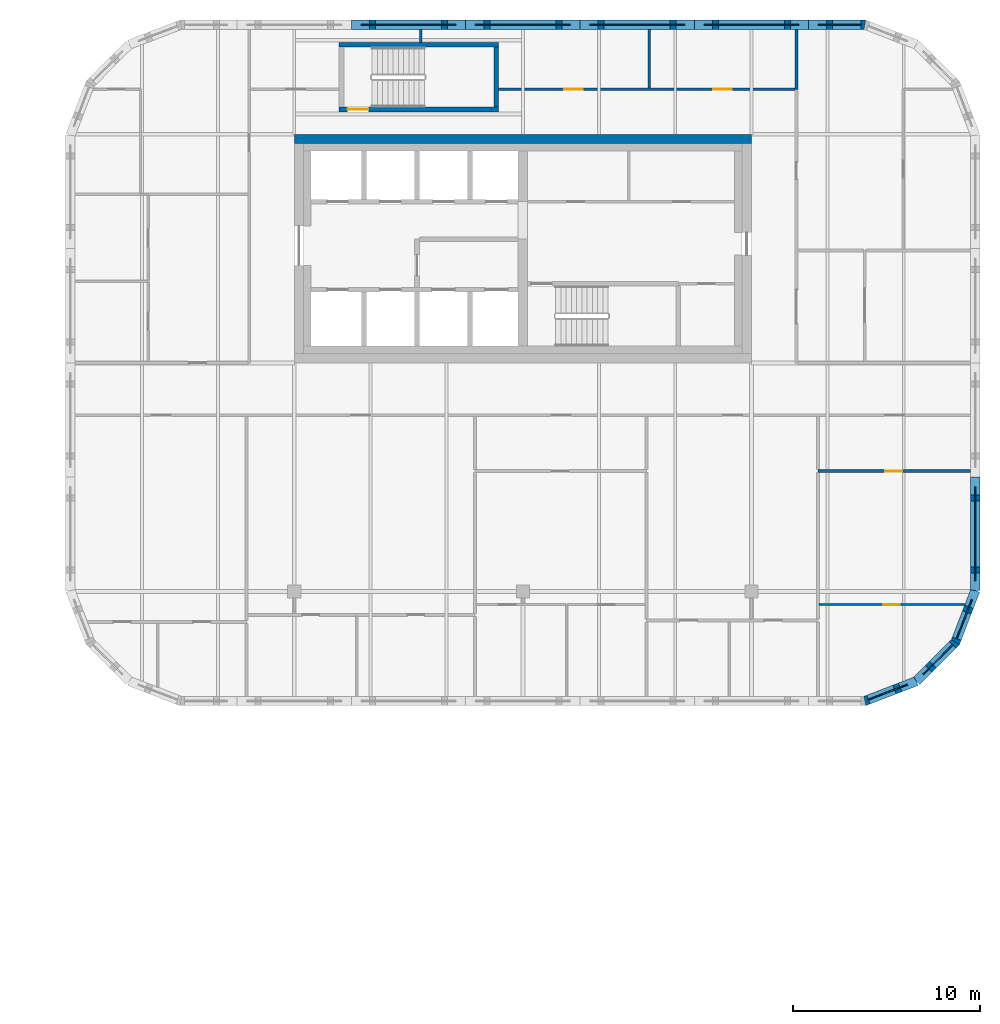
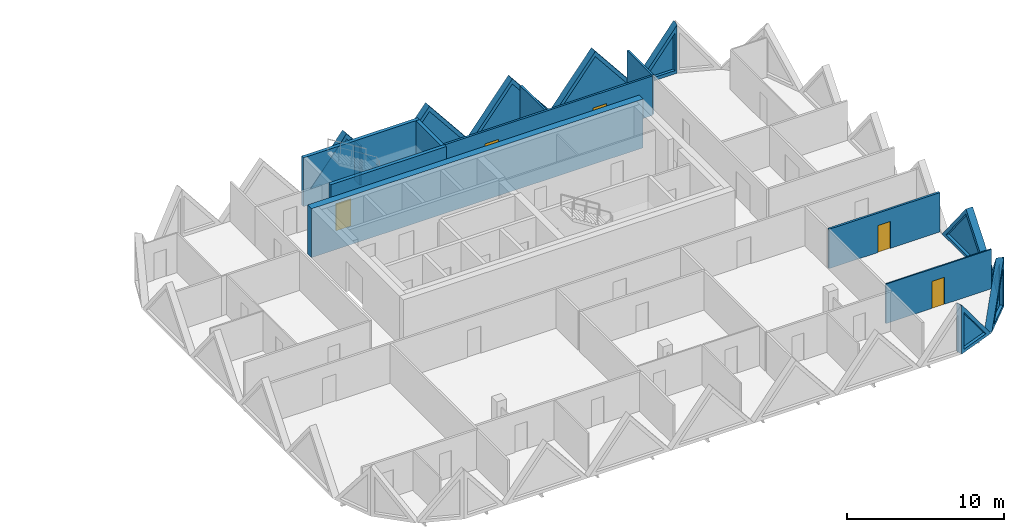
# One storey, part 15 of 19: 19 walls, 9 plates, 5 doors, 14 openings.
"""IFC4 building model written with IfcOpenShell, lengths in metres."""

from ifc_helpers import new_model, si_unit, direction, frame, frame_2d, origin, place, context, subcontext, project, spatial, polyline, rectangle, outline, extrude, faceted_brep, source, transform, mapped, material, layer, layer_set, type_object, element, fill, save


model = new_model("IFC4")

# Units and contexts
model_context = context("Model", 3, precision=1e-05, world=origin(), true_north=direction((0.0, 1.0)))
body_context = subcontext(model_context, "Body", "Model", "MODEL_VIEW")
ifc_project = project(units=[si_unit("LENGTHUNIT", "METRE"), si_unit("AREAUNIT", "SQUARE_METRE"), si_unit("VOLUMEUNIT", "CUBIC_METRE"), si_unit("PLANEANGLEUNIT", "RADIAN"), si_unit("MASSUNIT", "GRAM", prefix="KILO")], contexts=[model_context])

# Site, building, storey
site_placement = place(None, origin())
site = spatial("IfcSite", under=ifc_project, at=site_placement, CompositionType="ELEMENT")
building_placement = place(site_placement, origin())
building = spatial("IfcBuilding", under=site, at=building_placement, Name="Tessera Gate Towers", CompositionType="ELEMENT")
storey_placement = place(building_placement, frame((0.0, 0.0, 68.60009765625)))
storey = spatial("IfcBuildingStorey", under=building, at=storey_placement, Name="L16", CompositionType="ELEMENT", Elevation=68.60009765625)

# Wall, opening, door
ifc_material_1 = material(Name="Concrete C40/50", Category="concrete")
ifc_layer_1 = layer(ifc_material_1, 0.25)
ifc_layer_set_1 = layer_set([ifc_layer_1], Name="CORE ENCLOSURE WALL 250")
wall_type_1 = type_object("IfcWallType", Name="CORE ENCLOSURE WALL 250", PredefinedType="SOLIDWALL", material=ifc_layer_set_1)
wall_1_placement = place(storey_placement, frame((108.5, 50.125, 0.0), z_axis=(0.0, 0.0, 1.0), x_axis=(-1.0, 0.0, 0.0)))
wall_1 = element("IfcWall", 1, at=wall_1_placement, inside=storey, type_object=wall_type_1, Name="L16 ST7 enclosure wall", PredefinedType="SOLIDWALL", context=body_context, shape_type="SweptSolid", body=[
    extrude(rectangle(XDim=8.5, YDim=0.25, at=frame_2d((4.25, 0.0))), origin(), (0.0, 0.0, 1.0), 3.7998046875),
])
shared_shape_1 = source(origin(), body_context, "Body", "SweptSolid", [
    extrude(rectangle(XDim=1.10009765625, YDim=2.10009765625, at=frame_2d((0.550048828125, 1.050048828125))), frame((0.0, 0.135009765625, 0.0), z_axis=(0.0, -1.0, 0.0), x_axis=(1.0, 0.0, 0.0)), (0.0, 0.0, 1.0), 0.27001953125),
])
opening_1_placement = place(wall_1_placement, frame((6.949951171875, 0.0, 0.0)))
opening_1 = element("IfcOpeningElement", 2, at=opening_1_placement, cuts=wall_1, Name="Opening SD-ST7-1", PredefinedType="OPENING", context=body_context, shape_type="MappedRepresentation", body=[
    mapped(shared_shape_1, transform((0.0, 0.0, 0.0), scale=1.0)),
])
ifc_material_2 = material(Name="Hollow steel fire door", Category="steel")
door_type_1 = type_object("IfcDoorType", Name="CORE DOOR SD1100 1100x2100", OperationType="NOTDEFINED", PredefinedType="DOOR", material=ifc_material_2)
shared_shape_2 = source(origin(), body_context, "Body", "SweptSolid", [
    extrude(rectangle(XDim=1.10009765625, YDim=2.10009765625, at=frame_2d((0.550048828125, 1.050048828125))), frame((0.0, 0.02490234375, 0.0), z_axis=(0.0, -1.0, 0.0), x_axis=(1.0, 0.0, 0.0)), (0.0, 0.0, 1.0), 0.050048828125),
])
door_1_placement = place(opening_1_placement, origin())
door_1 = element("IfcDoor", 3, at=door_1_placement, inside=storey, type_object=door_type_1, Name="Stair door", OperationType="SINGLE_SWING_RIGHT", OverallHeight=2.10009765625, OverallWidth=1.10009765625, PredefinedType="DOOR", context=body_context, shape_type="MappedRepresentation", body=[
    mapped(shared_shape_2, transform((0.0, 0.0, 0.0), scale=1.0)),
])
fill(opening_1, door_1)

# Walls
wall_2_placement = place(storey_placement, frame((100.0, 53.574951171875, 0.0), z_axis=(0.0, 0.0, 1.0), x_axis=(1.0, 0.0, 0.0)))
element("IfcWall", 4, at=wall_2_placement, inside=storey, type_object=wall_type_1, Name="L16 ST7 enclosure wall", PredefinedType="SOLIDWALL", context=body_context, shape_type="SweptSolid", body=[
    extrude(rectangle(XDim=8.5, YDim=0.25, at=frame_2d((4.25, 0.0))), origin(), (0.0, 0.0, 1.0), 3.7998046875),
])
wall_3_placement = place(storey_placement, frame((108.375, 53.449951171875, 0.0), z_axis=(0.0, 0.0, 1.0), x_axis=(0.0, -1.0, 0.0)))
element("IfcWall", 5, at=wall_3_placement, inside=storey, type_object=wall_type_1, Name="L16 ST7 enclosure wall", PredefinedType="SOLIDWALL", context=body_context, shape_type="SweptSolid", body=[
    extrude(rectangle(XDim=3.199951171875, YDim=0.25, at=frame_2d((1.60009765625, 0.0))), origin(), (0.0, 0.0, 1.0), 3.7998046875),
])
ifc_material_3 = material(Name="Concrete C50/60", Category="concrete")
ifc_layer_2 = layer(ifc_material_3, 0.5)
ifc_layer_set_2 = layer_set([ifc_layer_2], Name="CORE SHEAR WALL 500 C50/60")
wall_type_2 = type_object("IfcWallType", Name="CORE SHEAR WALL 500 C50/60", PredefinedType="SHEAR", material=ifc_layer_set_2)
wall_4_placement = place(storey_placement, frame((97.60009765625, 48.550048828125, 0.0), z_axis=(0.0, 0.0, 1.0), x_axis=(1.0, 0.0, 0.0)))
element("IfcWall", 6, at=wall_4_placement, inside=storey, type_object=wall_type_2, Name="Core wall N L16", PredefinedType="SHEAR", context=body_context, shape_type="SweptSolid", body=[
    extrude(rectangle(XDim=24.39990234375, YDim=0.5, at=frame_2d((12.199951171875, 0.0))), origin(), (0.0, 0.0, 1.0), 3.7998046875),
])

# Wall, openings, doors
ifc_material_4 = material(Name="Gypsum board on steel studs, mineral wool", Category="steel")
ifc_layer_3 = layer(ifc_material_4, 0.14990234375)
ifc_layer_set_3 = layer_set([ifc_layer_3], Name="CORRIDOR WALL 150")
wall_type_3 = type_object("IfcWallType", Name="CORRIDOR WALL 150", PredefinedType="PARTITIONING", material=ifc_layer_set_3)
wall_5_placement = place(storey_placement, frame((108.5, 51.199951171875, 0.0), z_axis=(0.0, 0.0, 1.0), x_axis=(1.0, 0.0, 0.0)))
wall_5 = element("IfcWall", 7, at=wall_5_placement, inside=storey, type_object=wall_type_3, Name="T2-L16-PW-046", PredefinedType="PARTITIONING", context=body_context, shape_type="SweptSolid", body=[
    extrude(rectangle(XDim=15.823974609375, YDim=0.14990234375, at=frame_2d((7.912109375, 0.0))), origin(), (0.0, 0.0, 1.0), 3.06689453125),
])
shared_shape_3 = source(origin(), body_context, "Body", "SweptSolid", [
    extrude(rectangle(XDim=1.0, YDim=2.10009765625, at=frame_2d((0.5, 1.050048828125))), frame((0.0, 0.0849609375, 0.0), z_axis=(0.0, -1.0, 0.0), x_axis=(1.0, 0.0, 0.0)), (0.0, 0.0, 1.0), 0.169921875),
])
opening_2_placement = place(wall_5_placement, frame((11.450927734375, 0.0, 0.0)))
opening_2 = element("IfcOpeningElement", 8, at=opening_2_placement, cuts=wall_5, Name="Opening D2100FD60-B07-02", PredefinedType="OPENING", context=body_context, shape_type="MappedRepresentation", body=[
    mapped(shared_shape_3, transform((0.0, 0.0, 0.0), scale=1.0)),
])
opening_3_placement = place(wall_5_placement, frame((3.5, 0.0, 0.0)))
opening_3 = element("IfcOpeningElement", 9, at=opening_3_placement, cuts=wall_5, Name="Opening D2100FD60-B07-03", PredefinedType="OPENING", context=body_context, shape_type="MappedRepresentation", body=[
    mapped(shared_shape_3, transform((0.0, 0.0, 0.0), scale=1.0)),
])
ifc_material_5 = material(Name="Timber door leaf in steel frame", Category="steel")
door_type_2 = type_object("IfcDoorType", Name="TENANCY ENTRANCE DOOR 1000 FD60", OperationType="NOTDEFINED", PredefinedType="DOOR", material=ifc_material_5)
shared_shape_4 = source(origin(), body_context, "Body", "SweptSolid", [
    extrude(rectangle(XDim=1.0, YDim=2.10009765625, at=frame_2d((0.5, 1.050048828125))), frame((0.0, 0.02490234375, 0.0), z_axis=(0.0, -1.0, 0.0), x_axis=(1.0, 0.0, 0.0)), (0.0, 0.0, 1.0), 0.050048828125),
])
door_2_placement = place(opening_2_placement, origin())
door_2 = element("IfcDoor", 10, at=door_2_placement, inside=storey, type_object=door_type_2, Name="T2-L16-PD-015", OperationType="SINGLE_SWING_LEFT", OverallHeight=2.10009765625, OverallWidth=1.0, PredefinedType="DOOR", context=body_context, shape_type="MappedRepresentation", body=[
    mapped(shared_shape_4, transform((0.0, 0.0, 0.0), scale=1.0)),
])
fill(opening_2, door_2)
door_3_placement = place(opening_3_placement, origin())
door_3 = element("IfcDoor", 11, at=door_3_placement, inside=storey, type_object=door_type_2, Name="T2-L16-PD-017", OperationType="SINGLE_SWING_LEFT", OverallHeight=2.10009765625, OverallWidth=1.0, PredefinedType="DOOR", context=body_context, shape_type="MappedRepresentation", body=[
    mapped(shared_shape_4, transform((0.0, 0.0, 0.0), scale=1.0)),
])
fill(opening_3, door_3)

# Wall, opening, door
ifc_material_6 = material(Name="Gypsum board on steel studs", Category="steel")
ifc_layer_4 = layer(ifc_material_6, 0.10009765625)
ifc_layer_set_4 = layer_set([ifc_layer_4], Name="PARTITION 100")
wall_type_4 = type_object("IfcWallType", Name="PARTITION 100", PredefinedType="PARTITIONING", material=ifc_layer_set_4)
wall_6_placement = place(storey_placement, frame((133.39404296875, 23.699951171875, 0.0), z_axis=(0.0, 0.0, 1.0), x_axis=(-1.0, 0.0, 0.0)))
wall_6 = element("IfcWall", 12, at=wall_6_placement, inside=storey, type_object=wall_type_4, Name="T2-L16-PW-018", PredefinedType="PARTITIONING", context=body_context, shape_type="SweptSolid", body=[
    extrude(rectangle(XDim=7.76806640625, YDim=0.10009765625, at=frame_2d((3.884033203125, 0.0))), origin(), (0.0, 0.0, 1.0), 3.06689453125),
])
shared_shape_5 = source(origin(), body_context, "Body", "SweptSolid", [
    extrude(rectangle(XDim=0.89990234375, YDim=2.10009765625, at=frame_2d((0.449951171875, 1.050048828125))), frame((0.0, 0.06005859375, 0.0), z_axis=(0.0, -1.0, 0.0), x_axis=(1.0, 0.0, 0.0)), (0.0, 0.0, 1.0), 0.1201171875),
])
opening_4_placement = place(wall_6_placement, frame((3.468017578125, 0.0, 0.0)))
opening_4 = element("IfcOpeningElement", 13, at=opening_4_placement, cuts=wall_6, Name="Opening D190-B07-09", PredefinedType="OPENING", context=body_context, shape_type="MappedRepresentation", body=[
    mapped(shared_shape_5, transform((0.0, 0.0, 0.0), scale=1.0)),
])
ifc_material_7 = material(Name="Timber door leaf in steel frame", Category="steel")
door_type_3 = type_object("IfcDoorType", Name="INTERNAL DOOR 900 NOT RATED", OperationType="NOTDEFINED", PredefinedType="DOOR", material=ifc_material_7)
shared_shape_6 = source(origin(), body_context, "Body", "SweptSolid", [
    extrude(rectangle(XDim=0.89990234375, YDim=2.10009765625, at=frame_2d((0.449951171875, 1.050048828125))), frame((0.0, 0.02490234375, 0.0), z_axis=(0.0, -1.0, 0.0), x_axis=(1.0, 0.0, 0.0)), (0.0, 0.0, 1.0), 0.050048828125),
])
door_4_placement = place(opening_4_placement, origin())
door_4 = element("IfcDoor", 14, at=door_4_placement, inside=storey, type_object=door_type_3, Name="T2-L16-PD-014", OperationType="SINGLE_SWING_RIGHT", OverallHeight=2.10009765625, OverallWidth=0.89990234375, PredefinedType="DOOR", context=body_context, shape_type="MappedRepresentation", body=[
    mapped(shared_shape_6, transform((0.0, 0.0, 0.0), scale=1.0)),
])
fill(opening_4, door_4)

ifc_material_8 = material(Name="Gypsum board on steel studs, mineral wool", Category="steel")
ifc_layer_5 = layer(ifc_material_8, 0.14990234375)
ifc_layer_set_5 = layer_set([ifc_layer_5], Name="TENANCY WALL 150")
wall_type_5 = type_object("IfcWallType", Name="TENANCY WALL 150", PredefinedType="PARTITIONING", material=ifc_layer_set_5)
wall_7_placement = place(storey_placement, frame((133.699951171875, 30.824951171875, 0.0), z_axis=(0.0, 0.0, 1.0), x_axis=(-1.0, 0.0, 0.0)))
wall_7 = element("IfcWall", 15, at=wall_7_placement, inside=storey, type_object=wall_type_5, Name="T2-L16-PW-023", PredefinedType="PARTITIONING", context=body_context, shape_type="SweptSolid", body=[
    extrude(rectangle(XDim=8.14990234375, YDim=0.14990234375, at=frame_2d((4.074951171875, 0.0))), origin(), (0.0, 0.0, 1.0), 3.06689453125),
])
shared_shape_7 = source(origin(), body_context, "Body", "SweptSolid", [
    extrude(rectangle(XDim=0.89990234375, YDim=2.10009765625, at=frame_2d((0.449951171875, 1.050048828125))), frame((0.0, 0.0849609375, 0.0), z_axis=(0.0, -1.0, 0.0), x_axis=(1.0, 0.0, 0.0)), (0.0, 0.0, 1.0), 0.169921875),
])
opening_5_placement = place(wall_7_placement, frame((3.64990234375, 0.0, 0.0)))
opening_5 = element("IfcOpeningElement", 16, at=opening_5_placement, cuts=wall_7, Name="Opening D190-B07-11", PredefinedType="OPENING", context=body_context, shape_type="MappedRepresentation", body=[
    mapped(shared_shape_7, transform((0.0, 0.0, 0.0), scale=1.0)),
])
door_5_placement = place(opening_5_placement, origin())
door_5 = element("IfcDoor", 17, at=door_5_placement, inside=storey, type_object=door_type_3, Name="T2-L16-PD-019", OperationType="SINGLE_SWING_RIGHT", OverallHeight=2.10009765625, OverallWidth=0.89990234375, PredefinedType="DOOR", context=body_context, shape_type="MappedRepresentation", body=[
    mapped(shared_shape_6, transform((0.0, 0.0, 0.0), scale=1.0)),
])
fill(opening_5, door_5)

# Walls
wall_8_placement = place(storey_placement, frame((124.39990234375, 51.200927734375, 0.0), z_axis=(0.0, 0.0, 1.0), x_axis=(0.0, 1.0, 0.0)))
element("IfcWall", 18, at=wall_8_placement, inside=storey, type_object=wall_type_5, Name="T2-L16-PW-047", PredefinedType="PARTITIONING", context=body_context, shape_type="SweptSolid", body=[
    extrude(rectangle(XDim=3.198974609375, YDim=0.14990234375, at=frame_2d((1.599609375, 0.0))), origin(), (0.0, 0.0, 1.0), 3.06689453125),
])
wall_9_placement = place(storey_placement, frame((116.550048828125, 51.27587890625, 0.0), z_axis=(0.0, 0.0, 1.0), x_axis=(0.0, 1.0, 0.0)))
element("IfcWall", 19, at=wall_9_placement, inside=storey, type_object=wall_type_5, Name="T2-L16-PW-049", PredefinedType="PARTITIONING", context=body_context, shape_type="SweptSolid", body=[
    extrude(rectangle(XDim=3.1240234375, YDim=0.14990234375, at=frame_2d((1.56201171875, 0.0))), origin(), (0.0, 0.0, 1.0), 3.06689453125),
])
wall_10_placement = place(storey_placement, frame((104.35009765625, 53.699951171875, 0.0), z_axis=(0.0, 0.0, 1.0), x_axis=(0.0, 1.0, 0.0)))
element("IfcWall", 20, at=wall_10_placement, inside=storey, type_object=wall_type_5, Name="T2-L16-PW-050", PredefinedType="PARTITIONING", context=body_context, shape_type="SweptSolid", body=[
    extrude(rectangle(XDim=0.699951171875, YDim=0.14990234375, at=frame_2d((0.35009765625, 0.0))), origin(), (0.0, 0.0, 1.0), 3.06689453125),
])

# Wall, opening, plate
ifc_material_9 = material(Name="Precast concrete C60/75 white", Category="concrete")
ifc_layer_6 = layer(ifc_material_9, 0.5)
ifc_layer_set_6 = layer_set([ifc_layer_6], Name="TS3 corner tessera")
wall_type_6 = type_object("IfcWallType", Name="TS3 corner tessera", PredefinedType="SOLIDWALL", material=ifc_layer_set_6)
shared_shape_8 = source(origin(), body_context, "Body", "Brep", [
    faceted_brep([(3.050048828125, -0.25, 0.0), (0.046630859375, -0.25, 3.7998046875), (0.0, -0.25, 3.73974609375), (0.0, -0.25, 0.0), (0.09326171875, 0.25, 3.740966796875), (3.050048828125, 0.25, 0.0), (0.09326171875, 0.25, 0.0), (0.046630859375, 0.0, 3.7998046875)], [[[0, 1, 2, 3]], [[4, 5, 6]], [[5, 4, 7, 1, 0]], [[2, 1, 7]], [[6, 5, 0, 3]], [[6, 3, 2, 7, 4]]]),
])
wall_11_placement = place(storey_placement, frame((128.10009765625, 54.64990234375, 0.0), z_axis=(0.0, 0.0, 1.0), x_axis=(-1.0, 0.0, 0.0)))
wall_11 = element("IfcWall", 21, at=wall_11_placement, inside=storey, type_object=wall_type_6, Name="Precast corner tessera T2 TS3-0234", PredefinedType="SOLIDWALL", context=body_context, shape_type="MappedRepresentation", body=[
    mapped(shared_shape_8, transform((0.0, 0.0, 0.0), scale=1.0)),
])
shared_shape_9 = source(origin(), body_context, "Body", "SweptSolid", [
    extrude(outline(polyline([(2.533935546875, 0.25), (0.24658203125, 3.143798828125), (0.24658203125, 0.25), (2.533935546875, 0.25)])), frame((0.0, 0.260009765625, 0.0), z_axis=(0.0, -1.0, 0.0), x_axis=(1.0, 0.0, 0.0)), (0.0, 0.0, 1.0), 0.52001953125),
])
opening_6_placement = place(wall_11_placement, origin())
opening_6 = element("IfcOpeningElement", 22, at=opening_6_placement, cuts=wall_11, Name="Opening T2-PL1-0154", PredefinedType="OPENING", context=body_context, shape_type="MappedRepresentation", body=[
    mapped(shared_shape_9, transform((0.0, 0.0, 0.0), scale=1.0)),
])
ifc_material_10 = material(Name="Low-e laminated glass", Category="glass")
ifc_layer_7 = layer(ifc_material_10, 0.06005859375)
ifc_layer_set_7 = layer_set([ifc_layer_7], Name="PL1 triangular pane")
plate_type = type_object("IfcPlateType", Name="PL1 triangular pane", PredefinedType="SHEET", material=ifc_layer_set_7)
shared_shape_10 = source(origin(), body_context, "Body", "SweptSolid", [
    extrude(outline(polyline([(2.533935546875, 0.25), (0.24658203125, 3.143798828125), (0.24658203125, 0.25), (2.533935546875, 0.25)])), frame((0.0, 0.030029296875, 0.0), z_axis=(0.0, -1.0, 0.0), x_axis=(1.0, 0.0, 0.0)), (0.0, 0.0, 1.0), 0.06005859375),
])
plate_1_placement = place(opening_6_placement, origin())
plate_1 = element("IfcPlate", 23, at=plate_1_placement, inside=storey, type_object=plate_type, Name="Glass pane T2 PL1-0154", PredefinedType="SHEET", context=body_context, shape_type="MappedRepresentation", body=[
    mapped(shared_shape_10, transform((0.0, 0.0, 0.0), scale=1.0)),
])
fill(opening_6, plate_1)

ifc_material_11 = material(Name="Precast concrete C60/75 white", Category="concrete")
ifc_layer_8 = layer(ifc_material_11, 0.5)
ifc_layer_set_8 = layer_set([ifc_layer_8], Name="TS2 half tessera")
wall_type_7 = type_object("IfcWallType", Name="TS2 half tessera", PredefinedType="SOLIDWALL", material=ifc_layer_set_8)
shared_shape_11 = source(origin(), body_context, "Body", "Brep", [
    faceted_brep([(6.099853515625, -0.25, 0.000244140625), (3.050048828125, -0.25, 3.7998046875), (0.0, -0.25, 0.0), (6.099853515625, -0.25, 0.0), (0.0, 0.25, 0.0), (3.050048828125, 0.25, 3.7998046875), (6.099853515625, 0.25, 0.000244140625), (6.099853515625, 0.25, 0.0)], [[[0, 1, 2, 3]], [[4, 5, 6, 7]], [[6, 5, 1, 0]], [[5, 4, 2, 1]], [[4, 7, 3, 2]], [[3, 7, 6, 0]]]),
])
wall_12_placement = place(storey_placement, frame((118.949951171875, 54.64990234375, 0.0), z_axis=(0.0, 0.0, 1.0), x_axis=(-1.0, 0.0, 0.0)))
wall_12 = element("IfcWall", 24, at=wall_12_placement, inside=storey, type_object=wall_type_7, Name="Precast half tessera T2 TS2-0082", PredefinedType="SOLIDWALL", context=body_context, shape_type="MappedRepresentation", body=[
    mapped(shared_shape_11, transform((0.0, 0.0, 0.0), scale=1.0)),
])
shared_shape_12 = source(origin(), body_context, "Body", "SweptSolid", [
    extrude(outline(polyline([(5.578857421875, 0.25), (3.050048828125, 3.400390625), (0.521240234375, 0.25), (5.578857421875, 0.25)])), frame((0.0, 0.260009765625, 0.0), z_axis=(0.0, -1.0, 0.0), x_axis=(1.0, 0.0, 0.0)), (0.0, 0.0, 1.0), 0.52001953125),
])
opening_7_placement = place(wall_12_placement, origin())
opening_7 = element("IfcOpeningElement", 25, at=opening_7_placement, cuts=wall_12, Name="Opening T2-PL1-0156", PredefinedType="OPENING", context=body_context, shape_type="MappedRepresentation", body=[
    mapped(shared_shape_12, transform((0.0, 0.0, 0.0), scale=1.0)),
])
shared_shape_13 = source(origin(), body_context, "Body", "SweptSolid", [
    extrude(outline(polyline([(5.578857421875, 0.25), (3.050048828125, 3.400390625), (0.521240234375, 0.25), (5.578857421875, 0.25)])), frame((0.0, 0.030029296875, 0.0), z_axis=(0.0, -1.0, 0.0), x_axis=(1.0, 0.0, 0.0)), (0.0, 0.0, 1.0), 0.06005859375),
])
plate_2_placement = place(opening_7_placement, origin())
plate_2 = element("IfcPlate", 26, at=plate_2_placement, inside=storey, type_object=plate_type, Name="Glass pane T2 PL1-0156", PredefinedType="SHEET", context=body_context, shape_type="MappedRepresentation", body=[
    mapped(shared_shape_13, transform((0.0, 0.0, 0.0), scale=1.0)),
])
fill(opening_7, plate_2)

shared_shape_14 = source(origin(), body_context, "Body", "SweptSolid", [
    extrude(outline(polyline([(6.10009765625, 0.0), (3.050048828125, 3.7998046875), (0.0, 0.0), (6.10009765625, 0.0)])), frame((0.0, 0.25, 0.0), z_axis=(0.0, -1.0, 0.0), x_axis=(1.0, 0.0, 0.0)), (0.0, 0.0, 1.0), 0.5),
])
wall_13_placement = place(storey_placement, frame((125.050048828125, 54.64990234375, 0.0), z_axis=(0.0, 0.0, 1.0), x_axis=(-1.0, 0.0, 0.0)))
wall_13 = element("IfcWall", 27, at=wall_13_placement, inside=storey, type_object=wall_type_7, Name="Precast half tessera T2 TS2-0081", PredefinedType="SOLIDWALL", context=body_context, shape_type="MappedRepresentation", body=[
    mapped(shared_shape_14, transform((0.0, 0.0, 0.0), scale=1.0)),
])
opening_8_placement = place(wall_13_placement, origin())
opening_8 = element("IfcOpeningElement", 28, at=opening_8_placement, cuts=wall_13, Name="Opening T2-PL1-0155", PredefinedType="OPENING", context=body_context, shape_type="MappedRepresentation", body=[
    mapped(shared_shape_12, transform((0.0, 0.0, 0.0), scale=1.0)),
])
plate_3_placement = place(opening_8_placement, origin())
plate_3 = element("IfcPlate", 29, at=plate_3_placement, inside=storey, type_object=plate_type, Name="Glass pane T2 PL1-0155", PredefinedType="SHEET", context=body_context, shape_type="MappedRepresentation", body=[
    mapped(shared_shape_13, transform((0.0, 0.0, 0.0), scale=1.0)),
])
fill(opening_8, plate_3)

wall_14_placement = place(storey_placement, frame((112.85009765625, 54.64990234375, 0.0), z_axis=(0.0, 0.0, 1.0), x_axis=(-1.0, 0.0, 0.0)))
wall_14 = element("IfcWall", 30, at=wall_14_placement, inside=storey, type_object=wall_type_7, Name="Precast half tessera T2 TS2-0083", PredefinedType="SOLIDWALL", context=body_context, shape_type="MappedRepresentation", body=[
    mapped(shared_shape_14, transform((0.0, 0.0, 0.0), scale=1.0)),
])
opening_9_placement = place(wall_14_placement, origin())
opening_9 = element("IfcOpeningElement", 31, at=opening_9_placement, cuts=wall_14, Name="Opening T2-PL1-0157", PredefinedType="OPENING", context=body_context, shape_type="MappedRepresentation", body=[
    mapped(shared_shape_12, transform((0.0, 0.0, 0.0), scale=1.0)),
])
plate_4_placement = place(opening_9_placement, origin())
plate_4 = element("IfcPlate", 32, at=plate_4_placement, inside=storey, type_object=plate_type, Name="Glass pane T2 PL1-0157", PredefinedType="SHEET", context=body_context, shape_type="MappedRepresentation", body=[
    mapped(shared_shape_13, transform((0.0, 0.0, 0.0), scale=1.0)),
])
fill(opening_9, plate_4)

wall_15_placement = place(storey_placement, frame((106.75, 54.64990234375, 0.0), z_axis=(0.0, 0.0, 1.0), x_axis=(-1.0, 0.0, 0.0)))
wall_15 = element("IfcWall", 33, at=wall_15_placement, inside=storey, type_object=wall_type_7, Name="Precast half tessera T2 TS2-0084", PredefinedType="SOLIDWALL", context=body_context, shape_type="MappedRepresentation", body=[
    mapped(shared_shape_14, transform((0.0, 0.0, 0.0), scale=1.0)),
])
opening_10_placement = place(wall_15_placement, origin())
opening_10 = element("IfcOpeningElement", 34, at=opening_10_placement, cuts=wall_15, Name="Opening T2-PL1-0158", PredefinedType="OPENING", context=body_context, shape_type="MappedRepresentation", body=[
    mapped(shared_shape_12, transform((0.0, 0.0, 0.0), scale=1.0)),
])
plate_5_placement = place(opening_10_placement, origin())
plate_5 = element("IfcPlate", 35, at=plate_5_placement, inside=storey, type_object=plate_type, Name="Glass pane T2 PL1-0158", PredefinedType="SHEET", context=body_context, shape_type="MappedRepresentation", body=[
    mapped(shared_shape_13, transform((0.0, 0.0, 0.0), scale=1.0)),
])
fill(opening_10, plate_5)

shared_shape_15 = source(origin(), body_context, "Body", "Brep", [
    faceted_brep([(2.9970703125, -0.25, 0.0), (0.046630859375, -0.25, 3.7998046875), (0.0, -0.25, 3.740966796875), (0.0, -0.25, 0.0), (0.09326171875, 0.25, 3.73974609375), (2.9443359375, 0.25, 0.068115234375), (2.9443359375, 0.25, 0.0), (0.09326171875, 0.25, 0.0), (0.046630859375, 0.0, 3.7998046875), (2.9970703125, 0.00048828125, 0.0)], [[[0, 1, 2, 3]], [[4, 5, 6, 7]], [[5, 4, 8, 1, 0, 9]], [[2, 1, 8]], [[7, 6, 9, 0, 3]], [[7, 3, 2, 8, 4]], [[9, 6, 5]]]),
])
wall_16_placement = place(storey_placement, frame((128.010009765625, 18.533203125, 0.0), z_axis=(0.0, 0.0, 1.0), x_axis=(0.932990326376, 0.359901446078, 0.0)))
wall_16 = element("IfcWall", 36, at=wall_16_placement, inside=storey, type_object=wall_type_6, Name="Precast corner tessera T2 TS3-0228", PredefinedType="SOLIDWALL", context=body_context, shape_type="MappedRepresentation", body=[
    mapped(shared_shape_15, transform((0.0, 0.0, 0.0), scale=1.0)),
])
shared_shape_16 = source(origin(), body_context, "Body", "SweptSolid", [
    extrude(outline(polyline([(2.486572265625, 0.25), (0.24658203125, 3.134765625), (0.24658203125, 0.25), (2.486572265625, 0.25)])), frame((0.0, 0.260009765625, 0.0), z_axis=(0.0, -1.0, 0.0), x_axis=(1.0, 0.0, 0.0)), (0.0, 0.0, 1.0), 0.52001953125),
])
opening_11_placement = place(wall_16_placement, origin())
opening_11 = element("IfcOpeningElement", 37, at=opening_11_placement, cuts=wall_16, Name="Opening T2-PL1-0144", PredefinedType="OPENING", context=body_context, shape_type="MappedRepresentation", body=[
    mapped(shared_shape_16, transform((0.0, 0.0, 0.0), scale=1.0)),
])
shared_shape_17 = source(origin(), body_context, "Body", "SweptSolid", [
    extrude(outline(polyline([(2.486572265625, 0.25), (0.24658203125, 3.134765625), (0.24658203125, 0.25), (2.486572265625, 0.25)])), frame((0.0, 0.030029296875, 0.0), z_axis=(0.0, -1.0, 0.0), x_axis=(1.0, 0.0, 0.0)), (0.0, 0.0, 1.0), 0.06005859375),
])
plate_6_placement = place(opening_11_placement, origin())
plate_6 = element("IfcPlate", 38, at=plate_6_placement, inside=storey, type_object=plate_type, Name="Glass pane T2 PL1-0144", PredefinedType="SHEET", context=body_context, shape_type="MappedRepresentation", body=[
    mapped(shared_shape_17, transform((0.0, 0.0, 0.0), scale=1.0)),
])
fill(opening_11, plate_6)

shared_shape_18 = source(origin(), body_context, "Body", "Brep", [
    faceted_brep([(6.053466796875, -0.25, 0.0), (3.00341796875, -0.25, 3.7998046875), (0.0, -0.25, 0.0), (0.046630859375, 0.25, 0.058837890625), (3.00341796875, 0.25, 3.7998046875), (6.053466796875, 0.25, 0.0), (0.046630859375, 0.25, 0.0), (0.0, 0.0, 0.0)], [[[0, 1, 2]], [[3, 4, 5, 6]], [[5, 4, 1, 0]], [[4, 3, 7, 2, 1]], [[6, 5, 0, 2, 7]], [[6, 7, 3]]]),
])
wall_17_placement = place(storey_placement, frame((133.949951171875, 24.446533203125, 0.0), z_axis=(0.0, 0.0, 1.0), x_axis=(0.0, 1.0, 0.0)))
wall_17 = element("IfcWall", 39, at=wall_17_placement, inside=storey, type_object=wall_type_7, Name="Precast half tessera T2 TS2-0077", PredefinedType="SOLIDWALL", context=body_context, shape_type="MappedRepresentation", body=[
    mapped(shared_shape_18, transform((0.0, 0.0, 0.0), scale=1.0)),
])
shared_shape_19 = source(origin(), body_context, "Body", "SweptSolid", [
    extrude(outline(polyline([(5.5322265625, 0.25), (3.0048828125, 3.398681640625), (0.516357421875, 0.25), (5.5322265625, 0.25)])), frame((0.0, 0.260009765625, 0.0), z_axis=(0.0, -1.0, 0.0), x_axis=(1.0, 0.0, 0.0)), (0.0, 0.0, 1.0), 0.52001953125),
])
opening_12_placement = place(wall_17_placement, origin())
opening_12 = element("IfcOpeningElement", 40, at=opening_12_placement, cuts=wall_17, Name="Opening T2-PL1-0147", PredefinedType="OPENING", context=body_context, shape_type="MappedRepresentation", body=[
    mapped(shared_shape_19, transform((0.0, 0.0, 0.0), scale=1.0)),
])
shared_shape_20 = source(origin(), body_context, "Body", "SweptSolid", [
    extrude(outline(polyline([(5.5322265625, 0.25), (3.0048828125, 3.398681640625), (0.516357421875, 0.25), (5.5322265625, 0.25)])), frame((0.0, 0.030029296875, 0.0), z_axis=(0.0, -1.0, 0.0), x_axis=(1.0, 0.0, 0.0)), (0.0, 0.0, 1.0), 0.06005859375),
])
plate_7_placement = place(opening_12_placement, origin())
plate_7 = element("IfcPlate", 41, at=plate_7_placement, inside=storey, type_object=plate_type, Name="Glass pane T2 PL1-0147", PredefinedType="SHEET", context=body_context, shape_type="MappedRepresentation", body=[
    mapped(shared_shape_20, transform((0.0, 0.0, 0.0), scale=1.0)),
])
fill(opening_12, plate_7)

shared_shape_21 = source(origin(), body_context, "Body", "Brep", [
    faceted_brep([(2.9970703125, -0.25, 3.731689453125), (2.944091796875, -0.25, 3.7998046875), (0.0, -0.25, 0.0), (2.9970703125, -0.25, 0.0), (0.052978515625, 0.25, 0.068359375), (2.89111328125, 0.25, 3.731689453125), (2.89111328125, 0.25, 0.0), (0.052978515625, 0.25, 0.0), (2.944091796875, 0.000244140625, 3.7998046875), (0.0, 0.0, 0.0)], [[[0, 1, 2, 3]], [[4, 5, 6, 7]], [[8, 1, 0]], [[5, 4, 9, 2, 1, 8]], [[7, 6, 3, 2, 9]], [[7, 9, 4]], [[3, 6, 5, 8, 0]]]),
])
wall_18_placement = place(storey_placement, frame((130.80615234375, 19.61181640625, 0.0), z_axis=(0.0, 0.0, 1.0), x_axis=(0.707106781187, 0.707106781187, 0.0)))
wall_18 = element("IfcWall", 42, at=wall_18_placement, inside=storey, type_object=wall_type_6, Name="Precast corner tessera T2 TS3-0229", PredefinedType="SOLIDWALL", context=body_context, shape_type="MappedRepresentation", body=[
    mapped(shared_shape_21, transform((0.0, 0.0, 0.0), scale=1.0)),
])
shared_shape_22 = source(origin(), body_context, "Body", "SweptSolid", [
    extrude(outline(polyline([(2.744140625, 3.133544921875), (0.510009765625, 0.25), (2.744140625, 0.25), (2.744140625, 3.133544921875)])), frame((0.0, 0.260009765625, 0.0), z_axis=(0.0, -1.0, 0.0), x_axis=(1.0, 0.0, 0.0)), (0.0, 0.0, 1.0), 0.52001953125),
])
opening_13_placement = place(wall_18_placement, origin())
opening_13 = element("IfcOpeningElement", 43, at=opening_13_placement, cuts=wall_18, Name="Opening T2-PL1-0145", PredefinedType="OPENING", context=body_context, shape_type="MappedRepresentation", body=[
    mapped(shared_shape_22, transform((0.0, 0.0, 0.0), scale=1.0)),
])
shared_shape_23 = source(origin(), body_context, "Body", "SweptSolid", [
    extrude(outline(polyline([(2.744140625, 3.133544921875), (0.510009765625, 0.25), (2.744140625, 0.25), (2.744140625, 3.133544921875)])), frame((0.0, 0.030029296875, 0.0), z_axis=(0.0, -1.0, 0.0), x_axis=(1.0, 0.0, 0.0)), (0.0, 0.0, 1.0), 0.06005859375),
])
plate_8_placement = place(opening_13_placement, origin())
plate_8 = element("IfcPlate", 44, at=plate_8_placement, inside=storey, type_object=plate_type, Name="Glass pane T2 PL1-0145", PredefinedType="SHEET", context=body_context, shape_type="MappedRepresentation", body=[
    mapped(shared_shape_23, transform((0.0, 0.0, 0.0), scale=1.0)),
])
fill(opening_13, plate_8)

shared_shape_24 = source(origin(), body_context, "Body", "Brep", [
    faceted_brep([(3.00341796875, -0.25, 0.0), (0.052978515625, -0.25, 3.7998046875), (0.0, -0.25, 3.7314453125), (0.0, -0.25, 0.0), (0.10595703125, 0.25, 3.731689453125), (2.95703125, 0.25, 0.059814453125), (2.95703125, 0.25, 0.0), (0.10595703125, 0.25, 0.0), (0.052978515625, 0.0, 3.7998046875), (3.00341796875, 0.00048828125, 0.0)], [[[0, 1, 2, 3]], [[4, 5, 6, 7]], [[5, 4, 8, 1, 0, 9]], [[2, 1, 8]], [[7, 6, 9, 0, 3]], [[7, 3, 2, 8, 4]], [[9, 6, 5]]]),
])
wall_19_placement = place(storey_placement, frame((132.869140625, 21.644287109375, 0.0), z_axis=(0.0, 0.0, 1.0), x_axis=(0.359855894603, 0.933007896601, 0.0)))
wall_19 = element("IfcWall", 45, at=wall_19_placement, inside=storey, type_object=wall_type_6, Name="Precast corner tessera T2 TS3-0230", PredefinedType="SOLIDWALL", context=body_context, shape_type="MappedRepresentation", body=[
    mapped(shared_shape_24, transform((0.0, 0.0, 0.0), scale=1.0)),
])
shared_shape_25 = source(origin(), body_context, "Body", "SweptSolid", [
    extrude(outline(polyline([(2.492919921875, 0.25), (0.2529296875, 3.134765625), (0.2529296875, 0.25), (2.492919921875, 0.25)])), frame((0.0, 0.260009765625, 0.0), z_axis=(0.0, -1.0, 0.0), x_axis=(1.0, 0.0, 0.0)), (0.0, 0.0, 1.0), 0.52001953125),
])
opening_14_placement = place(wall_19_placement, origin())
opening_14 = element("IfcOpeningElement", 46, at=opening_14_placement, cuts=wall_19, Name="Opening T2-PL1-0146", PredefinedType="OPENING", context=body_context, shape_type="MappedRepresentation", body=[
    mapped(shared_shape_25, transform((0.0, 0.0, 0.0), scale=1.0)),
])
shared_shape_26 = source(origin(), body_context, "Body", "SweptSolid", [
    extrude(outline(polyline([(2.492919921875, 0.25), (0.2529296875, 3.134765625), (0.2529296875, 0.25), (2.492919921875, 0.25)])), frame((0.0, 0.030029296875, 0.0), z_axis=(0.0, -1.0, 0.0), x_axis=(1.0, 0.0, 0.0)), (0.0, 0.0, 1.0), 0.06005859375),
])
plate_9_placement = place(opening_14_placement, origin())
plate_9 = element("IfcPlate", 47, at=plate_9_placement, inside=storey, type_object=plate_type, Name="Glass pane T2 PL1-0146", PredefinedType="SHEET", context=body_context, shape_type="MappedRepresentation", body=[
    mapped(shared_shape_26, transform((0.0, 0.0, 0.0), scale=1.0)),
])
fill(opening_14, plate_9)

save(model, "model.ifc")
